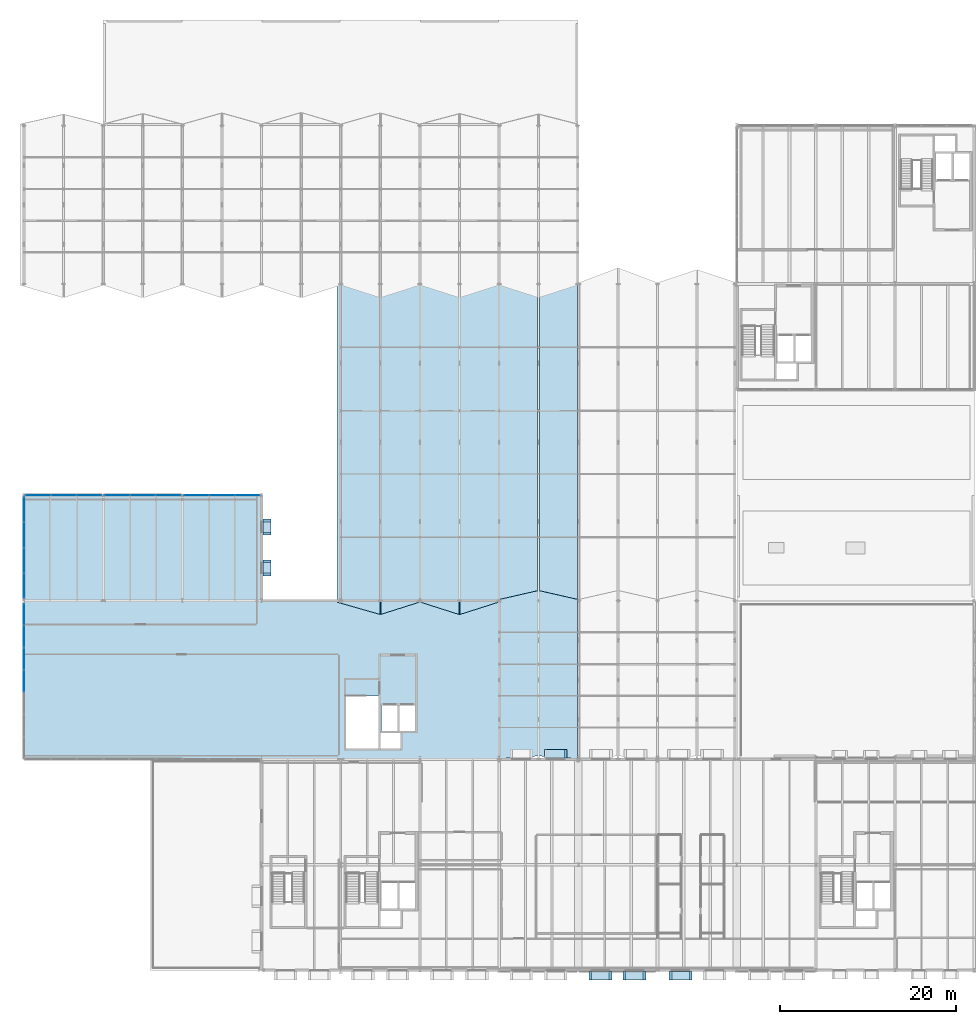
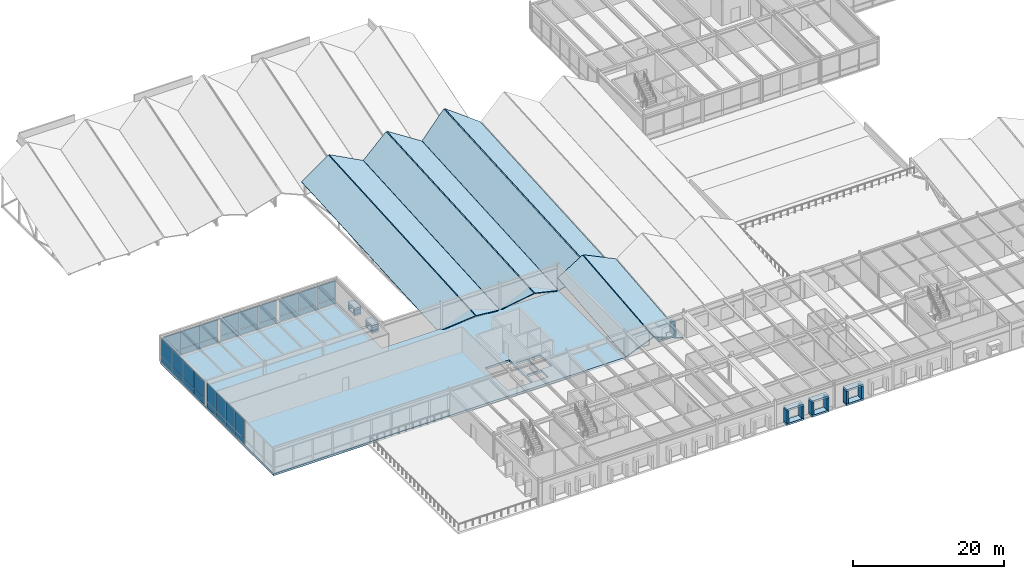
# One storey, part 103 of 142: 57 plates, 9 slabs, 7 elements without a shape of their own.
"""IFC4 building model written with IfcOpenShell, lengths in metres."""

from ifc_helpers import new_model, si_unit, direction, frame, origin, origin_2d, place, context, subcontext, project, spatial, polyline, rectangle, outline, extrude, material, layer, layer_set, type_object, element, aggregate, save


model = new_model("IFC4")

# Units and contexts
model_context = context("Model", 3, precision=1e-05, world=origin(), true_north=direction((0.0, 1.0)))
body_context = subcontext(model_context, "Body", "Model", "MODEL_VIEW")
ifc_project = project(units=[si_unit("LENGTHUNIT", "METRE"), si_unit("AREAUNIT", "SQUARE_METRE"), si_unit("VOLUMEUNIT", "CUBIC_METRE"), si_unit("PLANEANGLEUNIT", "RADIAN"), si_unit("MASSUNIT", "GRAM", prefix="KILO")], contexts=[model_context])

# Site, building, storey
site_placement = place(None, origin())
site = spatial("IfcSite", under=ifc_project, at=site_placement, CompositionType="ELEMENT")
building_placement = place(site_placement, origin())
building = spatial("IfcBuilding", under=site, at=building_placement, Name="Montelvaro Courts of Justice", CompositionType="ELEMENT")
storey_placement = place(building_placement, frame((0.0, 0.0, 14.39990234375)))
storey = spatial("IfcBuildingStorey", under=building, at=storey_placement, Name="L03", CompositionType="ELEMENT", Elevation=14.39990234375)

# Curtain wall, plates
ifc_material_1 = material(Name="Anodised aluminium EN AW-6063", Category="aluminium")
ifc_layer_1 = layer(ifc_material_1, 0.159912109375)
ifc_layer_set_1 = layer_set([ifc_layer_1], Name="Anodised aluminium EN AW-6063")
curtain_wall_type_1 = type_object("IfcCurtainWallType", Name="CurtainWall_18_868x418", PredefinedType="USERDEFINED", material=ifc_layer_set_1)
curtain_wall_1_placement = place(storey_placement, origin())
curtain_wall_1 = element("IfcCurtainWall", 1, at=curtain_wall_1_placement, inside=storey, type_object=curtain_wall_type_1, Name="Curtain Wall CW-18 (L03)", ObjectType="CURTAIN WALL", PredefinedType="USERDEFINED")
ifc_material_2 = material(Name="Low-E solar control double glazing", Category="glass")
ifc_layer_2 = layer(ifc_material_2, 0.028076171875)
ifc_layer_set_2 = layer_set([ifc_layer_2], Name="Low-E solar control double glazing")
plate_type_1 = type_object("IfcPlateType", Name="CurtainWall_Glazed_Panel_28", PredefinedType="CURTAIN_PANEL", material=ifc_layer_set_2)
plate_1_placement = place(storey_placement, frame((43.3798828125, 54.0, 0.0751953125), z_axis=(0.0, 0.0, 1.0), x_axis=(-1.0, 0.0, 0.0)))
plate_1 = element("IfcPlate", 2, at=plate_1_placement, type_object=plate_type_1, Name="CW-18 panel 1.1", PredefinedType="CURTAIN_PANEL", context=body_context, shape_type="SweptSolid", body=[
    extrude(rectangle(XDim=2.81005859375, YDim=0.028076171875, at=origin_2d()), origin(), (0.0, 0.0, 1.0), 0.83740234375),
])
plate_2_placement = place(storey_placement, frame((43.3798828125, 54.0, 0.987548828125), z_axis=(0.0, 0.0, 1.0), x_axis=(-1.0, 0.0, 0.0)))
plate_2 = element("IfcPlate", 3, at=plate_2_placement, type_object=plate_type_1, Name="CW-18 panel 1.2", PredefinedType="CURTAIN_PANEL", context=body_context, shape_type="SweptSolid", body=[
    extrude(rectangle(XDim=2.81005859375, YDim=0.028076171875, at=origin_2d()), origin(), (0.0, 0.0, 1.0), 2.79248046875),
])
plate_3_placement = place(storey_placement, frame((40.4951171875, 54.0, 0.0751953125), z_axis=(0.0, 0.0, 1.0), x_axis=(-1.0, 0.0, 0.0)))
plate_3 = element("IfcPlate", 4, at=plate_3_placement, type_object=plate_type_1, Name="CW-18 panel 2.1", PredefinedType="CURTAIN_PANEL", context=body_context, shape_type="SweptSolid", body=[
    extrude(rectangle(XDim=2.840087890625, YDim=0.028076171875, at=origin_2d()), origin(), (0.0, 0.0, 1.0), 0.83740234375),
])
plate_4_placement = place(storey_placement, frame((40.4951171875, 54.0, 0.987548828125), z_axis=(0.0, 0.0, 1.0), x_axis=(-1.0, 0.0, 0.0)))
plate_4 = element("IfcPlate", 5, at=plate_4_placement, type_object=plate_type_1, Name="CW-18 panel 2.2", PredefinedType="CURTAIN_PANEL", context=body_context, shape_type="SweptSolid", body=[
    extrude(rectangle(XDim=2.840087890625, YDim=0.028076171875, at=origin_2d()), origin(), (0.0, 0.0, 1.0), 2.79248046875),
])
plate_5_placement = place(storey_placement, frame((37.610107421875, 54.0, 0.0751953125), z_axis=(0.0, 0.0, 1.0), x_axis=(-1.0, 0.0, 0.0)))
plate_5 = element("IfcPlate", 6, at=plate_5_placement, type_object=plate_type_1, Name="CW-18 panel 3.1", PredefinedType="CURTAIN_PANEL", context=body_context, shape_type="SweptSolid", body=[
    extrude(rectangle(XDim=2.81005859375, YDim=0.028076171875, at=origin_2d()), origin(), (0.0, 0.0, 1.0), 0.83740234375),
])
plate_6_placement = place(storey_placement, frame((37.610107421875, 54.0, 0.987548828125), z_axis=(0.0, 0.0, 1.0), x_axis=(-1.0, 0.0, 0.0)))
plate_6 = element("IfcPlate", 7, at=plate_6_placement, type_object=plate_type_1, Name="CW-18 panel 3.2", PredefinedType="CURTAIN_PANEL", context=body_context, shape_type="SweptSolid", body=[
    extrude(rectangle(XDim=2.81005859375, YDim=0.028076171875, at=origin_2d()), origin(), (0.0, 0.0, 1.0), 2.79248046875),
])
aggregate(curtain_wall_1, [plate_1, plate_2, plate_3, plate_4, plate_5, plate_6])

curtain_wall_2_placement = place(storey_placement, origin())
curtain_wall_2 = element("IfcCurtainWall", 8, at=curtain_wall_2_placement, inside=storey, type_object=curtain_wall_type_1, Name="Curtain Wall CW-18 (L03)", ObjectType="CURTAIN WALL", PredefinedType="USERDEFINED")
plate_7_placement = place(storey_placement, frame((34.388427734375, 54.0, 0.06005859375), z_axis=(0.0, 0.0, 1.0), x_axis=(-1.0, 0.0, 0.0)))
plate_7 = element("IfcPlate", 9, at=plate_7_placement, type_object=plate_type_1, Name="CW-18 panel 1.1", PredefinedType="CURTAIN_PANEL", context=body_context, shape_type="SweptSolid", body=[
    extrude(rectangle(XDim=2.813232421875, YDim=0.028076171875, at=origin_2d()), origin(), (0.0, 0.0, 1.0), 0.860107421875),
])
plate_8_placement = place(storey_placement, frame((34.388427734375, 54.0, 0.980224609375), z_axis=(0.0, 0.0, 1.0), x_axis=(-1.0, 0.0, 0.0)))
plate_8 = element("IfcPlate", 10, at=plate_8_placement, type_object=plate_type_1, Name="CW-18 panel 1.2", PredefinedType="CURTAIN_PANEL", context=body_context, shape_type="SweptSolid", body=[
    extrude(rectangle(XDim=2.813232421875, YDim=0.028076171875, at=origin_2d()), origin(), (0.0, 0.0, 1.0), 2.81494140625),
])
plate_9_placement = place(storey_placement, frame((31.5, 54.0, 0.06005859375), z_axis=(0.0, 0.0, 1.0), x_axis=(-1.0, 0.0, 0.0)))
plate_9 = element("IfcPlate", 11, at=plate_9_placement, type_object=plate_type_1, Name="CW-18 panel 2.1", PredefinedType="CURTAIN_PANEL", context=body_context, shape_type="SweptSolid", body=[
    extrude(rectangle(XDim=2.84326171875, YDim=0.028076171875, at=origin_2d()), origin(), (0.0, 0.0, 1.0), 0.860107421875),
])
plate_10_placement = place(storey_placement, frame((31.5, 54.0, 0.980224609375), z_axis=(0.0, 0.0, 1.0), x_axis=(-1.0, 0.0, 0.0)))
plate_10 = element("IfcPlate", 12, at=plate_10_placement, type_object=plate_type_1, Name="CW-18 panel 2.2", PredefinedType="CURTAIN_PANEL", context=body_context, shape_type="SweptSolid", body=[
    extrude(rectangle(XDim=2.84326171875, YDim=0.028076171875, at=origin_2d()), origin(), (0.0, 0.0, 1.0), 2.81494140625),
])
plate_11_placement = place(storey_placement, frame((28.611572265625, 54.0, 0.06005859375), z_axis=(0.0, 0.0, 1.0), x_axis=(-1.0, 0.0, 0.0)))
plate_11 = element("IfcPlate", 13, at=plate_11_placement, type_object=plate_type_1, Name="CW-18 panel 3.1", PredefinedType="CURTAIN_PANEL", context=body_context, shape_type="SweptSolid", body=[
    extrude(rectangle(XDim=2.813232421875, YDim=0.028076171875, at=origin_2d()), origin(), (0.0, 0.0, 1.0), 0.860107421875),
])
plate_12_placement = place(storey_placement, frame((28.611572265625, 54.0, 0.980224609375), z_axis=(0.0, 0.0, 1.0), x_axis=(-1.0, 0.0, 0.0)))
plate_12 = element("IfcPlate", 14, at=plate_12_placement, type_object=plate_type_1, Name="CW-18 panel 3.2", PredefinedType="CURTAIN_PANEL", context=body_context, shape_type="SweptSolid", body=[
    extrude(rectangle(XDim=2.813232421875, YDim=0.028076171875, at=origin_2d()), origin(), (0.0, 0.0, 1.0), 2.81494140625),
])
aggregate(curtain_wall_2, [plate_7, plate_8, plate_9, plate_10, plate_11, plate_12])

curtain_wall_3_placement = place(storey_placement, origin())
curtain_wall_3 = element("IfcCurtainWall", 15, at=curtain_wall_3_placement, inside=storey, type_object=curtain_wall_type_1, Name="Curtain Wall CW-18 (L03)", ObjectType="CURTAIN WALL", PredefinedType="USERDEFINED")
plate_13_placement = place(storey_placement, frame((25.389892578125, 54.0, 0.06005859375), z_axis=(0.0, 0.0, 1.0), x_axis=(-1.0, 0.0, 0.0)))
plate_13 = element("IfcPlate", 16, at=plate_13_placement, type_object=plate_type_1, Name="CW-18 panel 1.1", PredefinedType="CURTAIN_PANEL", context=body_context, shape_type="SweptSolid", body=[
    extrude(rectangle(XDim=2.81005859375, YDim=0.028076171875, at=origin_2d()), origin(), (0.0, 0.0, 1.0), 0.860107421875),
])
plate_14_placement = place(storey_placement, frame((25.389892578125, 54.0, 0.980224609375), z_axis=(0.0, 0.0, 1.0), x_axis=(-1.0, 0.0, 0.0)))
plate_14 = element("IfcPlate", 17, at=plate_14_placement, type_object=plate_type_1, Name="CW-18 panel 1.2", PredefinedType="CURTAIN_PANEL", context=body_context, shape_type="SweptSolid", body=[
    extrude(rectangle(XDim=2.81005859375, YDim=0.028076171875, at=origin_2d()), origin(), (0.0, 0.0, 1.0), 2.81494140625),
])
plate_15_placement = place(storey_placement, frame((22.5048828125, 54.0, 0.06005859375), z_axis=(0.0, 0.0, 1.0), x_axis=(-1.0, 0.0, 0.0)))
plate_15 = element("IfcPlate", 18, at=plate_15_placement, type_object=plate_type_1, Name="CW-18 panel 2.1", PredefinedType="CURTAIN_PANEL", context=body_context, shape_type="SweptSolid", body=[
    extrude(rectangle(XDim=2.840087890625, YDim=0.028076171875, at=origin_2d()), origin(), (0.0, 0.0, 1.0), 0.860107421875),
])
plate_16_placement = place(storey_placement, frame((22.5048828125, 54.0, 0.980224609375), z_axis=(0.0, 0.0, 1.0), x_axis=(-1.0, 0.0, 0.0)))
plate_16 = element("IfcPlate", 19, at=plate_16_placement, type_object=plate_type_1, Name="CW-18 panel 2.2", PredefinedType="CURTAIN_PANEL", context=body_context, shape_type="SweptSolid", body=[
    extrude(rectangle(XDim=2.840087890625, YDim=0.028076171875, at=origin_2d()), origin(), (0.0, 0.0, 1.0), 2.81494140625),
])
plate_17_placement = place(storey_placement, frame((19.6201171875, 54.0, 0.06005859375), z_axis=(0.0, 0.0, 1.0), x_axis=(-1.0, 0.0, 0.0)))
plate_17 = element("IfcPlate", 20, at=plate_17_placement, type_object=plate_type_1, Name="CW-18 panel 3.1", PredefinedType="CURTAIN_PANEL", context=body_context, shape_type="SweptSolid", body=[
    extrude(rectangle(XDim=2.81005859375, YDim=0.028076171875, at=origin_2d()), origin(), (0.0, 0.0, 1.0), 0.860107421875),
])
plate_18_placement = place(storey_placement, frame((19.6201171875, 54.0, 0.980224609375), z_axis=(0.0, 0.0, 1.0), x_axis=(-1.0, 0.0, 0.0)))
plate_18 = element("IfcPlate", 21, at=plate_18_placement, type_object=plate_type_1, Name="CW-18 panel 3.2", PredefinedType="CURTAIN_PANEL", context=body_context, shape_type="SweptSolid", body=[
    extrude(rectangle(XDim=2.81005859375, YDim=0.028076171875, at=origin_2d()), origin(), (0.0, 0.0, 1.0), 2.81494140625),
])
aggregate(curtain_wall_3, [plate_13, plate_14, plate_15, plate_16, plate_17, plate_18])

ifc_layer_3 = layer(ifc_material_1, 0.159912109375)
ifc_layer_set_3 = layer_set([ifc_layer_3], Name="Anodised aluminium EN AW-6063")
curtain_wall_type_2 = type_object("IfcCurtainWallType", Name="CurtainWall_19_1159x418", PredefinedType="USERDEFINED", material=ifc_layer_set_3)
curtain_wall_4_placement = place(storey_placement, origin())
curtain_wall_4 = element("IfcCurtainWall", 22, at=curtain_wall_4_placement, inside=storey, type_object=curtain_wall_type_2, Name="Curtain Wall CW-19 (L03)", ObjectType="CURTAIN WALL", PredefinedType="USERDEFINED")
plate_19_placement = place(storey_placement, frame((18.0, 52.378173828125, 0.06005859375), z_axis=(0.0, 0.0, 1.0), x_axis=(0.0, -1.0, 0.0)))
plate_19 = element("IfcPlate", 23, at=plate_19_placement, type_object=plate_type_1, Name="CW-19 panel 1.1", PredefinedType="CURTAIN_PANEL", context=body_context, shape_type="SweptSolid", body=[
    extrude(rectangle(XDim=2.8037109375, YDim=0.028076171875, at=origin_2d()), origin(), (0.0, 0.0, 1.0), 0.860107421875),
])
plate_20_placement = place(storey_placement, frame((18.0, 52.378173828125, 0.97998046875), z_axis=(0.0, 0.0, 1.0), x_axis=(0.0, -1.0, 0.0)))
plate_20 = element("IfcPlate", 24, at=plate_20_placement, type_object=plate_type_1, Name="CW-19 panel 1.2", PredefinedType="CURTAIN_PANEL", context=body_context, shape_type="SweptSolid", body=[
    extrude(rectangle(XDim=2.8037109375, YDim=0.028076171875, at=origin_2d()), origin(), (0.0, 0.0, 1.0), 2.905029296875),
])
plate_21_placement = place(storey_placement, frame((18.0, 49.4931640625, 0.06005859375), z_axis=(0.0, 0.0, 1.0), x_axis=(0.0, -1.0, 0.0)))
plate_21 = element("IfcPlate", 25, at=plate_21_placement, type_object=plate_type_1, Name="CW-19 panel 2.1", PredefinedType="CURTAIN_PANEL", context=body_context, shape_type="SweptSolid", body=[
    extrude(rectangle(XDim=2.836181640625, YDim=0.028076171875, at=origin_2d()), origin(), (0.0, 0.0, 1.0), 0.860107421875),
])
plate_22_placement = place(storey_placement, frame((18.0, 49.4931640625, 0.97998046875), z_axis=(0.0, 0.0, 1.0), x_axis=(0.0, -1.0, 0.0)))
plate_22 = element("IfcPlate", 26, at=plate_22_placement, type_object=plate_type_1, Name="CW-19 panel 2.2", PredefinedType="CURTAIN_PANEL", context=body_context, shape_type="SweptSolid", body=[
    extrude(rectangle(XDim=2.836181640625, YDim=0.028076171875, at=origin_2d()), origin(), (0.0, 0.0, 1.0), 2.905029296875),
])
plate_23_placement = place(storey_placement, frame((18.0, 46.591796875, 0.06005859375), z_axis=(0.0, 0.0, 1.0), x_axis=(0.0, -1.0, 0.0)))
plate_23 = element("IfcPlate", 27, at=plate_23_placement, type_object=plate_type_1, Name="CW-19 panel 3.1", PredefinedType="CURTAIN_PANEL", context=body_context, shape_type="SweptSolid", body=[
    extrude(rectangle(XDim=2.836181640625, YDim=0.028076171875, at=origin_2d()), origin(), (0.0, 0.0, 1.0), 0.860107421875),
])
plate_24_placement = place(storey_placement, frame((18.0, 46.591796875, 0.97998046875), z_axis=(0.0, 0.0, 1.0), x_axis=(0.0, -1.0, 0.0)))
plate_24 = element("IfcPlate", 28, at=plate_24_placement, type_object=plate_type_1, Name="CW-19 panel 3.2", PredefinedType="CURTAIN_PANEL", context=body_context, shape_type="SweptSolid", body=[
    extrude(rectangle(XDim=2.836181640625, YDim=0.028076171875, at=origin_2d()), origin(), (0.0, 0.0, 1.0), 2.905029296875),
])
plate_25_placement = place(storey_placement, frame((18.0, 43.706787109375, 0.06005859375), z_axis=(0.0, 0.0, 1.0), x_axis=(0.0, -1.0, 0.0)))
plate_25 = element("IfcPlate", 29, at=plate_25_placement, type_object=plate_type_1, Name="CW-19 panel 4.1", PredefinedType="CURTAIN_PANEL", context=body_context, shape_type="SweptSolid", body=[
    extrude(rectangle(XDim=2.8037109375, YDim=0.028076171875, at=origin_2d()), origin(), (0.0, 0.0, 1.0), 0.860107421875),
])
plate_26_placement = place(storey_placement, frame((18.0, 43.706787109375, 0.97998046875), z_axis=(0.0, 0.0, 1.0), x_axis=(0.0, -1.0, 0.0)))
plate_26 = element("IfcPlate", 30, at=plate_26_placement, type_object=plate_type_1, Name="CW-19 panel 4.2", PredefinedType="CURTAIN_PANEL", context=body_context, shape_type="SweptSolid", body=[
    extrude(rectangle(XDim=2.8037109375, YDim=0.028076171875, at=origin_2d()), origin(), (0.0, 0.0, 1.0), 2.905029296875),
])
aggregate(curtain_wall_4, [plate_19, plate_20, plate_21, plate_22, plate_23, plate_24, plate_25, plate_26])

ifc_layer_4 = layer(ifc_material_1, 0.159912109375)
ifc_layer_set_4 = layer_set([ifc_layer_4], Name="Anodised aluminium EN AW-6063")
curtain_wall_type_3 = type_object("IfcCurtainWallType", Name="CurtainWall_29_1770x418", PredefinedType="USERDEFINED", material=ifc_layer_set_4)
curtain_wall_5_placement = place(storey_placement, origin())
curtain_wall_5 = element("IfcCurtainWall", 31, at=curtain_wall_5_placement, inside=storey, type_object=curtain_wall_type_3, Name="Curtain Wall CW-29 (L03)", ObjectType="CURTAIN WALL", PredefinedType="USERDEFINED")
plate_27_placement = place(storey_placement, frame((18.0, 40.4755859375, 0.0751953125), z_axis=(0.0, 0.0, 1.0), x_axis=(0.0, -1.0, 0.0)))
plate_27 = element("IfcPlate", 32, at=plate_27_placement, type_object=plate_type_1, Name="CW-29 panel 1.1", PredefinedType="CURTAIN_PANEL", context=body_context, shape_type="SweptSolid", body=[
    extrude(rectangle(XDim=2.4189453125, YDim=0.028076171875, at=origin_2d()), origin(), (0.0, 0.0, 1.0), 0.83740234375),
])
plate_28_placement = place(storey_placement, frame((18.0, 40.4755859375, 0.987548828125), z_axis=(0.0, 0.0, 1.0), x_axis=(0.0, -1.0, 0.0)))
plate_28 = element("IfcPlate", 33, at=plate_28_placement, type_object=plate_type_1, Name="CW-29 panel 1.2", PredefinedType="CURTAIN_PANEL", context=body_context, shape_type="SweptSolid", body=[
    extrude(rectangle(XDim=2.4189453125, YDim=0.028076171875, at=origin_2d()), origin(), (0.0, 0.0, 1.0), 3.0576171875),
])
plate_29_placement = place(storey_placement, frame((18.0, 37.962890625, 0.0751953125), z_axis=(0.0, 0.0, 1.0), x_axis=(0.0, -1.0, 0.0)))
plate_29 = element("IfcPlate", 34, at=plate_29_placement, type_object=plate_type_1, Name="CW-29 panel 2.1", PredefinedType="CURTAIN_PANEL", context=body_context, shape_type="SweptSolid", body=[
    extrude(rectangle(XDim=2.45654296875, YDim=0.028076171875, at=origin_2d()), origin(), (0.0, 0.0, 1.0), 0.83740234375),
])
plate_30_placement = place(storey_placement, frame((18.0, 37.962890625, 0.987548828125), z_axis=(0.0, 0.0, 1.0), x_axis=(0.0, -1.0, 0.0)))
plate_30 = element("IfcPlate", 35, at=plate_30_placement, type_object=plate_type_1, Name="CW-29 panel 2.2", PredefinedType="CURTAIN_PANEL", context=body_context, shape_type="SweptSolid", body=[
    extrude(rectangle(XDim=2.45654296875, YDim=0.028076171875, at=origin_2d()), origin(), (0.0, 0.0, 1.0), 3.0576171875),
])
plate_31_placement = place(storey_placement, frame((18.0, 35.431396484375, 0.0751953125), z_axis=(0.0, 0.0, 1.0), x_axis=(0.0, -1.0, 0.0)))
plate_31 = element("IfcPlate", 36, at=plate_31_placement, type_object=plate_type_1, Name="CW-29 panel 3.1", PredefinedType="CURTAIN_PANEL", context=body_context, shape_type="SweptSolid", body=[
    extrude(rectangle(XDim=2.45654296875, YDim=0.028076171875, at=origin_2d()), origin(), (0.0, 0.0, 1.0), 0.83740234375),
])
plate_32_placement = place(storey_placement, frame((18.0, 35.431396484375, 0.987548828125), z_axis=(0.0, 0.0, 1.0), x_axis=(0.0, -1.0, 0.0)))
plate_32 = element("IfcPlate", 37, at=plate_32_placement, type_object=plate_type_1, Name="CW-29 panel 3.2", PredefinedType="CURTAIN_PANEL", context=body_context, shape_type="SweptSolid", body=[
    extrude(rectangle(XDim=2.45654296875, YDim=0.028076171875, at=origin_2d()), origin(), (0.0, 0.0, 1.0), 3.0576171875),
])
plate_33_placement = place(storey_placement, frame((18.0, 32.89990234375, 0.0751953125), z_axis=(0.0, 0.0, 1.0), x_axis=(0.0, -1.0, 0.0)))
plate_33 = element("IfcPlate", 38, at=plate_33_placement, type_object=plate_type_1, Name="CW-29 panel 4.1", PredefinedType="CURTAIN_PANEL", context=body_context, shape_type="SweptSolid", body=[
    extrude(rectangle(XDim=2.45654296875, YDim=0.028076171875, at=origin_2d()), origin(), (0.0, 0.0, 1.0), 0.83740234375),
])
plate_34_placement = place(storey_placement, frame((18.0, 32.89990234375, 0.987548828125), z_axis=(0.0, 0.0, 1.0), x_axis=(0.0, -1.0, 0.0)))
plate_34 = element("IfcPlate", 39, at=plate_34_placement, type_object=plate_type_1, Name="CW-29 panel 4.2", PredefinedType="CURTAIN_PANEL", context=body_context, shape_type="SweptSolid", body=[
    extrude(rectangle(XDim=2.45654296875, YDim=0.028076171875, at=origin_2d()), origin(), (0.0, 0.0, 1.0), 3.0576171875),
])
aggregate(curtain_wall_5, [plate_27, plate_28, plate_29, plate_30, plate_31, plate_32, plate_33, plate_34])

# Slab
ifc_material_3 = material(Name="Concrete C35/45", Category="concrete")
ifc_layer_5 = layer(ifc_material_3, 0.340087890625)
ifc_layer_set_5 = layer_set([ifc_layer_5], Name="Concrete C35/45")
slab_type_1 = type_object("IfcSlabType", Name="FloorSlab_340", PredefinedType="FLOOR", material=ifc_layer_set_5)
slab_1_placement = place(storey_placement, frame((0.0, 0.0, -0.33984375)))
element("IfcSlab", 40, at=slab_1_placement, inside=storey, type_object=slab_type_1, Name="Structural Slab SF-03 L03", PredefinedType="FLOOR", context=body_context, shape_type="SweptSolid", body=[
    extrude(outline(polyline([(18.0, 24.0), (72.0, 24.0), (72.0, 42.0), (45.0, 42.0), (45.0, 54.0), (18.0, 54.0), (18.0, 24.0)]), holes=[polyline([(54.60009765625, 25.199951171875), (58.300048828125, 25.199951171875), (58.300048828125, 31.199951171875), (54.60009765625, 31.199951171875), (54.60009765625, 25.199951171875)]), polyline([(58.5400390625, 25.199951171875), (60.800048828125, 25.199951171875), (60.800048828125, 26.9599609375), (58.5400390625, 26.9599609375), (58.5400390625, 25.199951171875)]), polyline([(58.64990234375, 27.199951171875), (60.5, 27.199951171875), (60.5, 30.10009765625), (58.64990234375, 30.10009765625), (58.64990234375, 27.199951171875)]), polyline([(60.60009765625, 27.199951171875), (62.449951171875, 27.199951171875), (62.449951171875, 30.10009765625), (60.60009765625, 30.10009765625), (60.60009765625, 27.199951171875)])]), origin(), (0.0, 0.0, 1.0), 0.33984375),
])

# Plates
ifc_material_4 = material(Name="White mineral precast concrete C45/55", Category="concrete")
ifc_layer_6 = layer(ifc_material_4, 0.300048828125)
ifc_layer_set_6 = layer_set([ifc_layer_6], Name="White mineral precast concrete C45/55")
plate_type_2 = type_object("IfcPlateType", Name="PrecastSquareFrame_300x950", PredefinedType="SHEET", material=ifc_layer_set_6)
for number, where, z_axis, x_axis, name in (
    (41, (45.6201171875, 45.73193359375, 1.55029296875), (0.0, 0.0, 1.0), (0.0, 1.0, 0.0), "Graduated Square Window Frame PF-02 W-L03-147 TOP"),
    (42, (45.6201171875, 45.73193359375, 0.55029296875), (0.0, 0.0, 1.0), (0.0, 1.0, 0.0), "Graduated Square Window Frame PF-02 W-L03-147 BOT"),
):
    element("IfcPlate", number, at=place(storey_placement, frame(where, z_axis=z_axis, x_axis=x_axis)), inside=storey, type_object=plate_type_2, Name=name, PredefinedType="SHEET", context=body_context, shape_type="SweptSolid", body=[
        extrude(rectangle(XDim=1.800048828125, YDim=0.9599609375, at=origin_2d()), origin(), (0.0, 0.0, 1.0), 0.300048828125),
    ])
for number, where, z_axis, x_axis, name in (
    (43, (45.6201171875, 44.98193359375, 0.85009765625), (0.0, 0.0, 1.0), (0.0, 1.0, 0.0), "Graduated Square Window Frame PF-02 W-L03-147 L"),
    (44, (45.6201171875, 46.48193359375, 0.85009765625), (0.0, 0.0, 1.0), (0.0, 1.0, 0.0), "Graduated Square Window Frame PF-02 W-L03-147 R"),
):
    element("IfcPlate", number, at=place(storey_placement, frame(where, z_axis=z_axis, x_axis=x_axis)), inside=storey, type_object=plate_type_2, Name=name, PredefinedType="SHEET", context=body_context, shape_type="SweptSolid", body=[
        extrude(rectangle(XDim=0.300048828125, YDim=0.9599609375, at=origin_2d()), origin(), (0.0, 0.0, 1.0), 0.699951171875),
    ])
for number, where, z_axis, x_axis, name in (
    (45, (45.6201171875, 50.3779296875, 1.55029296875), (0.0, 0.0, 1.0), (0.0, 1.0, 0.0), "Graduated Square Window Frame PF-02 W-L03-148 TOP"),
    (46, (45.6201171875, 50.3779296875, 0.55029296875), (0.0, 0.0, 1.0), (0.0, 1.0, 0.0), "Graduated Square Window Frame PF-02 W-L03-148 BOT"),
):
    element("IfcPlate", number, at=place(storey_placement, frame(where, z_axis=z_axis, x_axis=x_axis)), inside=storey, type_object=plate_type_2, Name=name, PredefinedType="SHEET", context=body_context, shape_type="SweptSolid", body=[
        extrude(rectangle(XDim=1.800048828125, YDim=0.9599609375, at=origin_2d()), origin(), (0.0, 0.0, 1.0), 0.300048828125),
    ])
for number, where, z_axis, x_axis, name in (
    (47, (45.6201171875, 49.6279296875, 0.85009765625), (0.0, 0.0, 1.0), (0.0, 1.0, 0.0), "Graduated Square Window Frame PF-02 W-L03-148 L"),
    (48, (45.6201171875, 51.1279296875, 0.85009765625), (0.0, 0.0, 1.0), (0.0, 1.0, 0.0), "Graduated Square Window Frame PF-02 W-L03-148 R"),
):
    element("IfcPlate", number, at=place(storey_placement, frame(where, z_axis=z_axis, x_axis=x_axis)), inside=storey, type_object=plate_type_2, Name=name, PredefinedType="SHEET", context=body_context, shape_type="SweptSolid", body=[
        extrude(rectangle(XDim=0.300048828125, YDim=0.9599609375, at=origin_2d()), origin(), (0.0, 0.0, 1.0), 0.699951171875),
    ])
for number, where, z_axis, x_axis, name in (
    (49, (78.43994140625, 24.6201171875, 2.85009765625), (0.0, 0.0, 1.0), (-1.0, 0.0, 0.0), "Graduated Square Window Frame PF-02 W-L03-157 TOP"),
    (50, (78.43994140625, 24.6201171875, 0.55029296875), (0.0, 0.0, 1.0), (-1.0, 0.0, 0.0), "Graduated Square Window Frame PF-02 W-L03-157 BOT"),
):
    element("IfcPlate", number, at=place(storey_placement, frame(where, z_axis=z_axis, x_axis=x_axis)), inside=storey, type_object=plate_type_2, Name=name, PredefinedType="SHEET", context=body_context, shape_type="SweptSolid", body=[
        extrude(rectangle(XDim=2.60009765625, YDim=0.9599609375, at=origin_2d()), origin(), (0.0, 0.0, 1.0), 0.300048828125),
    ])
plate_35_placement = place(storey_placement, frame((79.590087890625, 24.6201171875, 0.85009765625), z_axis=(0.0, 0.0, 1.0), x_axis=(-1.0, 0.0, 0.0)))
element("IfcPlate", 51, at=plate_35_placement, inside=storey, type_object=plate_type_2, Name="Graduated Square Window Frame PF-02 W-L03-157 L", PredefinedType="SHEET", context=body_context, shape_type="SweptSolid", body=[
    extrude(rectangle(XDim=0.300048828125, YDim=0.9599609375, at=origin_2d()), origin(), (0.0, 0.0, 1.0), 2.0),
])
for number, where, z_axis, x_axis, name in (
    (52, (83.511962890625, -0.6201171875, 2.85009765625), (0.0, 0.0, 1.0), (1.0, 0.0, 0.0), "Graduated Square Window Frame PF-02 W-L03-161 TOP"),
    (53, (83.511962890625, -0.6201171875, 0.55029296875), (0.0, 0.0, 1.0), (1.0, 0.0, 0.0), "Graduated Square Window Frame PF-02 W-L03-161 BOT"),
):
    element("IfcPlate", number, at=place(storey_placement, frame(where, z_axis=z_axis, x_axis=x_axis)), inside=storey, type_object=plate_type_2, Name=name, PredefinedType="SHEET", context=body_context, shape_type="SweptSolid", body=[
        extrude(rectangle(XDim=2.60009765625, YDim=0.9599609375, at=origin_2d()), origin(), (0.0, 0.0, 1.0), 0.300048828125),
    ])
for number, where, z_axis, x_axis, name in (
    (54, (82.362060546875, -0.6201171875, 0.85009765625), (0.0, 0.0, 1.0), (1.0, 0.0, 0.0), "Graduated Square Window Frame PF-02 W-L03-161 L"),
    (55, (84.662109375, -0.6201171875, 0.85009765625), (0.0, 0.0, 1.0), (1.0, 0.0, 0.0), "Graduated Square Window Frame PF-02 W-L03-161 R"),
):
    element("IfcPlate", number, at=place(storey_placement, frame(where, z_axis=z_axis, x_axis=x_axis)), inside=storey, type_object=plate_type_2, Name=name, PredefinedType="SHEET", context=body_context, shape_type="SweptSolid", body=[
        extrude(rectangle(XDim=0.300048828125, YDim=0.9599609375, at=origin_2d()), origin(), (0.0, 0.0, 1.0), 2.0),
    ])
for number, where, z_axis, x_axis, name in (
    (56, (87.367919921875, -0.6201171875, 2.85009765625), (0.0, 0.0, 1.0), (1.0, 0.0, 0.0), "Graduated Square Window Frame PF-02 W-L03-162 TOP"),
    (57, (87.367919921875, -0.6201171875, 0.55029296875), (0.0, 0.0, 1.0), (1.0, 0.0, 0.0), "Graduated Square Window Frame PF-02 W-L03-162 BOT"),
):
    element("IfcPlate", number, at=place(storey_placement, frame(where, z_axis=z_axis, x_axis=x_axis)), inside=storey, type_object=plate_type_2, Name=name, PredefinedType="SHEET", context=body_context, shape_type="SweptSolid", body=[
        extrude(rectangle(XDim=2.60009765625, YDim=0.9599609375, at=origin_2d()), origin(), (0.0, 0.0, 1.0), 0.300048828125),
    ])
for number, where, z_axis, x_axis, name in (
    (58, (86.218017578125, -0.6201171875, 0.85009765625), (0.0, 0.0, 1.0), (1.0, 0.0, 0.0), "Graduated Square Window Frame PF-02 W-L03-162 L"),
    (59, (88.51806640625, -0.6201171875, 0.85009765625), (0.0, 0.0, 1.0), (1.0, 0.0, 0.0), "Graduated Square Window Frame PF-02 W-L03-162 R"),
):
    element("IfcPlate", number, at=place(storey_placement, frame(where, z_axis=z_axis, x_axis=x_axis)), inside=storey, type_object=plate_type_2, Name=name, PredefinedType="SHEET", context=body_context, shape_type="SweptSolid", body=[
        extrude(rectangle(XDim=0.300048828125, YDim=0.9599609375, at=origin_2d()), origin(), (0.0, 0.0, 1.0), 2.0),
    ])
for number, where, z_axis, x_axis, name in (
    (60, (92.632080078125, -0.6201171875, 2.85009765625), (0.0, 0.0, 1.0), (1.0, 0.0, 0.0), "Graduated Square Window Frame PF-02 W-L03-163 TOP"),
    (61, (92.632080078125, -0.6201171875, 0.55029296875), (0.0, 0.0, 1.0), (1.0, 0.0, 0.0), "Graduated Square Window Frame PF-02 W-L03-163 BOT"),
):
    element("IfcPlate", number, at=place(storey_placement, frame(where, z_axis=z_axis, x_axis=x_axis)), inside=storey, type_object=plate_type_2, Name=name, PredefinedType="SHEET", context=body_context, shape_type="SweptSolid", body=[
        extrude(rectangle(XDim=2.60009765625, YDim=0.9599609375, at=origin_2d()), origin(), (0.0, 0.0, 1.0), 0.300048828125),
    ])
for number, where, z_axis, x_axis, name in (
    (62, (91.48193359375, -0.6201171875, 0.85009765625), (0.0, 0.0, 1.0), (1.0, 0.0, 0.0), "Graduated Square Window Frame PF-02 W-L03-163 L"),
    (63, (93.781982421875, -0.6201171875, 0.85009765625), (0.0, 0.0, 1.0), (1.0, 0.0, 0.0), "Graduated Square Window Frame PF-02 W-L03-163 R"),
):
    element("IfcPlate", number, at=place(storey_placement, frame(where, z_axis=z_axis, x_axis=x_axis)), inside=storey, type_object=plate_type_2, Name=name, PredefinedType="SHEET", context=body_context, shape_type="SweptSolid", body=[
        extrude(rectangle(XDim=0.300048828125, YDim=0.9599609375, at=origin_2d()), origin(), (0.0, 0.0, 1.0), 2.0),
    ])

# Roof, slabs
ifc_material_5 = material(Name="Precast concrete C45/55", Category="concrete")
ifc_layer_7 = layer(ifc_material_5, 0.199951171875)
ifc_layer_set_7 = layer_set([ifc_layer_7], Name="Precast concrete C45/55")
roof_type = type_object("IfcRoofType", Name="PavilionFoldedRoof", PredefinedType="PAVILION_ROOF", material=ifc_layer_set_7)
roof_1_placement = place(storey_placement, origin())
roof_1 = element("IfcRoof", 64, at=roof_1_placement, inside=storey, type_object=roof_type, Name="Public Hall and Judicial Passage Sculpted Canopy Roof V4", PredefinedType="PAVILION_ROOF")
ifc_layer_8 = layer(ifc_material_5, 0.14990234375)
ifc_layer_set_8 = layer_set([ifc_layer_8], Name="Precast concrete C45/55")
slab_type_2 = type_object("IfcSlabType", Name="RoofSlab_150", PredefinedType="ROOF", material=ifc_layer_set_8)
slab_2_placement = place(storey_placement, frame((53.550048828125, 41.85009765625, -0.169189453125), z_axis=(-0.334461568978, -0.057486755401, 0.940654416792), x_axis=(0.914230725465, -0.262048275918, 0.309051584213)))
slab_2 = element("IfcSlab", 65, at=slab_2_placement, type_object=slab_type_2, Name="V4 Folded Roof Slab 1A", PredefinedType="ROOF", context=body_context, shape_type="SweptSolid", body=[
    extrude(outline(polyline([(0.0, 0.0), (5.343066438746476, -3.0531133177191805e-16), (-4.1595368037074705, 37.98156412090388), (-8.826668484081278, 35.2801291389767), (0.0, 0.0)])), origin(), (0.0, 0.0, -1.0), 0.14990234375),
])
slab_3_placement = place(storey_placement, frame((58.565185546875, 40.449951171875, 1.482177734375), z_axis=(0.33445968471, -0.057483760902, 0.940655269765), x_axis=(0.907741387296, 0.287890003229, -0.305163759039)))
slab_3 = element("IfcSlab", 66, at=slab_3_placement, type_object=slab_type_2, Name="V4 Folded Roof Slab 1B", PredefinedType="ROOF", context=body_context, shape_type="SweptSolid", body=[
    extrude(outline(polyline([(0.0, 0.0), (4.863483194870419, -1.942890293094024e-16), (14.636900998956156, 35.029656147747374), (10.521765877932376, 37.71194935654886), (0.0, 0.0)])), origin(), (0.0, 0.0, -1.0), 0.14990234375),
])
slab_4_placement = place(storey_placement, frame((63.02001953125, 41.85009765625, 0.000244140625), z_axis=(-0.422247446744, -0.055293079964, 0.90479266632), x_axis=(0.876649727521, -0.278863373748, 0.392072026571)))
slab_4 = element("IfcSlab", 67, at=slab_4_placement, type_object=slab_type_2, Name="V4 Folded Roof Slab 2A", PredefinedType="ROOF", context=body_context, shape_type="SweptSolid", body=[
    extrude(outline(polyline([(0.0, 0.0), (5.020917025429756, 4.440892098500626e-16), (-4.9962098218985584, 38.07553077923493), (-9.252967634028655, 35.17071360327235), (0.0, 0.0)])), origin(), (0.0, 0.0, -1.0), 0.14990234375),
])
slab_5_placement = place(storey_placement, frame((67.578369140625, 40.449951171875, 1.96875), z_axis=(0.422247446744, -0.055293079964, 0.90479266632), x_axis=(0.876649727521, 0.278863373748, -0.392072026571)))
slab_5 = element("IfcSlab", 68, at=slab_5_placement, type_object=slab_type_2, Name="V4 Folded Roof Slab 2B", PredefinedType="ROOF", context=body_context, shape_type="SweptSolid", body=[
    extrude(outline(polyline([(0.0, 0.0), (5.020917025429756, -4.440892098500626e-16), (14.27388465945841, 35.17071360327235), (10.017126847328313, 38.07553077923493), (0.0, 0.0)])), origin(), (0.0, 0.0, -1.0), 0.14990234375),
])
slab_6_placement = place(storey_placement, frame((72.02001953125, 41.85009765625, 0.002197265625), z_axis=(-0.487002509199, -0.053272636934, 0.871774387206), x_axis=(0.847164502242, -0.271619680084, 0.456656386719)))
slab_6 = element("IfcSlab", 69, at=slab_6_placement, type_object=slab_type_2, Name="V4 Folded Roof Slab 3A", PredefinedType="ROOF", context=body_context, shape_type="SweptSolid", body=[
    extrude(outline(polyline([(0.0, 0.0), (5.154797655673402, -1.1102230246251565e-16), (-4.473241543864741, 38.39014071580827), (-8.84675795506543, 35.27508156031115), (0.0, 0.0)])), origin(), (0.0, 0.0, -1.0), 0.14990234375),
])
slab_7_placement = place(storey_placement, frame((76.56298828125, 40.449951171875, 2.356201171875), z_axis=(0.487002509199, -0.053272636934, 0.871774387206), x_axis=(0.847164502242, 0.271619680084, -0.456656386719)))
slab_7 = element("IfcSlab", 70, at=slab_7_placement, type_object=slab_type_2, Name="V4 Folded Roof Slab 3B", PredefinedType="ROOF", context=body_context, shape_type="SweptSolid", body=[
    extrude(outline(polyline([(0.0, 0.0), (5.154797655673402, 1.1102230246251565e-16), (14.001555610738832, 35.27508156031116), (9.628039199538142, 38.39014071580827), (0.0, 0.0)])), origin(), (0.0, 0.0, -1.0), 0.14990234375),
])
aggregate(roof_1, [slab_2, slab_3, slab_4, slab_5, slab_6, slab_7])

roof_2_placement = place(storey_placement, origin())
roof_2 = element("IfcRoof", 71, at=roof_2_placement, inside=storey, type_object=roof_type, Name="South Link Bridge Sculpted Canopy Roof V4", PredefinedType="PAVILION_ROOF")
slab_8_placement = place(storey_placement, frame((72.050048828125, 24.050048828125, 0.02197265625), z_axis=(-0.316381455253, -0.09438561556, 0.943924854184), x_axis=(0.944181756974, 0.064938664449, 0.322960956862)))
slab_8 = element("IfcSlab", 72, at=slab_8_placement, type_object=slab_type_2, Name="V4 Folded Roof Slab 1A", PredefinedType="ROOF", context=body_context, shape_type="SweptSolid", body=[
    extrude(outline(polyline([(0.0, 0.0), (4.620442090409026, -5.551115123125783e-17), (6.4484050506286685, 18.80492401185333), (1.759879721549145, 18.104776966484174), (0.0, 0.0)])), origin(), (0.0, 0.0, -1.0), 0.14990234375),
])
slab_9_placement = place(storey_placement, frame((76.53759765625, 24.35009765625, 1.51416015625), z_axis=(0.316409165049, -0.094390879443, 0.943915039689), x_axis=(0.944212340804, -0.064502229283, -0.32295900342)))
slab_9 = element("IfcSlab", 73, at=slab_9_placement, type_object=slab_type_2, Name="V4 Folded Roof Slab 1B", PredefinedType="ROOF", context=body_context, shape_type="SweptSolid", body=[
    extrude(outline(polyline([(0.0, 0.0), (4.6518767505490635, 4.163336342344337e-17), (2.899821129523896, 18.10556020934604), (-1.819754392102523, 18.805720130397376), (0.0, 0.0)])), origin(), (0.0, 0.0, -1.0), 0.14990234375),
])
aggregate(roof_2, [slab_8, slab_9])

save(model, "model.ifc")
